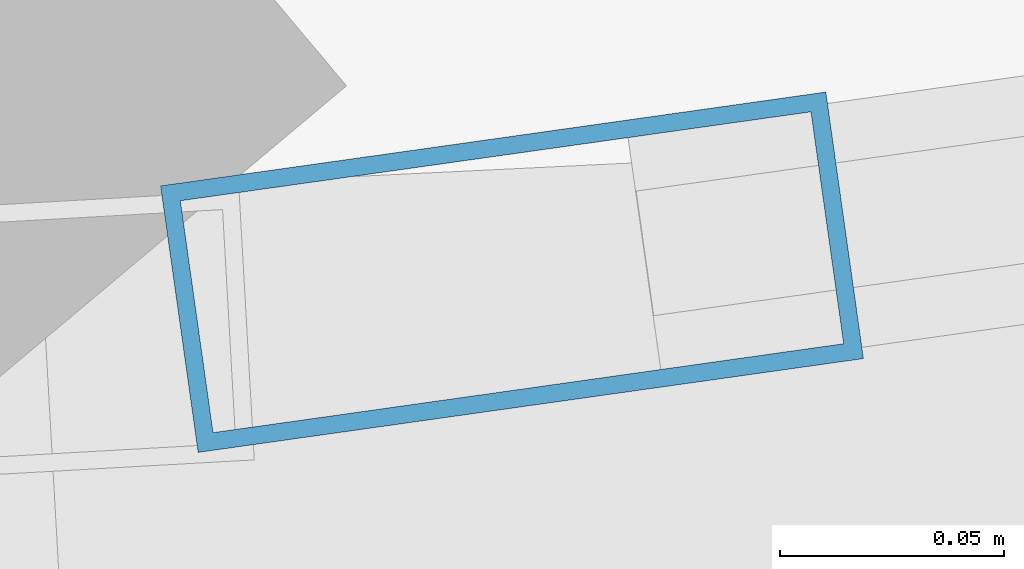
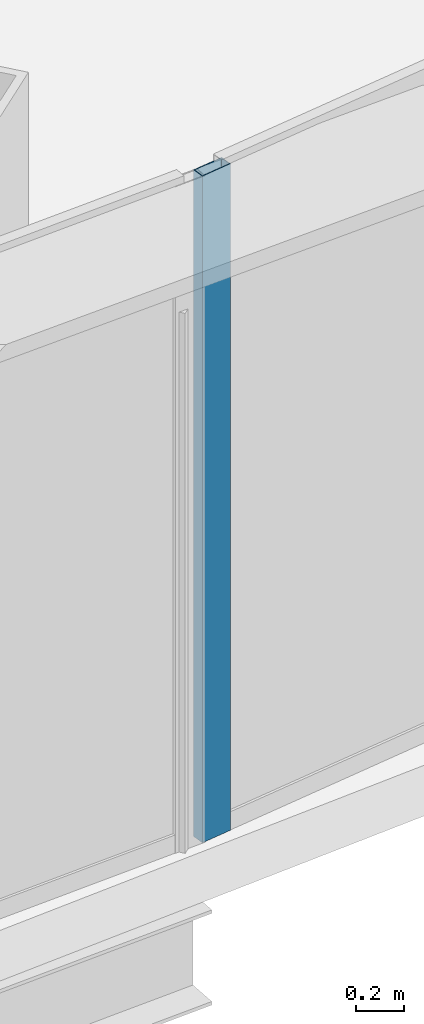
# One storey, part 16 of 42: 1 member, 1 element without a shape of its own.
"""IFC4 building model written with IfcOpenShell, lengths in metres."""

import ifcopenshell
import ifcopenshell.guid

model = None  # the IFC model being written
_history = None  # IfcOwnerHistory: only IFC2X3 demands one
_inside = {}  # id of a spatial element -> (the spatial element, [elements in it])
_under = {}  # id of a project, library or spatial element -> (it, [spatial elements below it])
_declared = {}  # id of a project -> (the project, [libraries it declares])
_typed = {}  # id of a type object -> (the type object, [elements of that type])
_made_of = {}  # id of a material, layer set ... -> (it, [elements and type objects made of it])


def new_model(schema):
    """Start an empty IFC model of exactly this schema.

    Asked for "IFC4X3", IfcOpenShell would pick the latest addendum, in which some entities
    have other attributes; the version numbers below select the first issue.
    IFC2X3 requires an IfcOwnerHistory on every rooted entity: one is made here for all.
    """
    global model, _history
    if schema == "IFC4X3":
        model = ifcopenshell.file(schema_version=(4, 3, 0, 0))
    else:
        model = ifcopenshell.file(schema=schema)
    _inside.clear()
    _under.clear()
    _declared.clear()
    _typed.clear()
    _made_of.clear()
    _history = None
    if model.schema == "IFC2X3":
        org = make("IfcOrganization", Name="unknown")
        user = make(
            "IfcPersonAndOrganization",
            ThePerson=make("IfcPerson", FamilyName="unknown"),
            TheOrganization=org,
        )
        app = make(
            "IfcApplication",
            ApplicationDeveloper=org,
            Version="unknown",
            ApplicationFullName="unknown",
            ApplicationIdentifier="unknown",
        )
        _history = make(
            "IfcOwnerHistory",
            OwningUser=user,
            OwningApplication=app,
            ChangeAction="ADDED",
            CreationDate=0,
        )
    return model


def make(cls, **values):
    """One entity of the class cls with the attributes given. An attribute that is None is left unset."""
    return model.create_entity(
        cls, **{name: value for name, value in values.items() if value is not None}
    )


def rooted(cls, **values):
    """An entity with a GlobalId (a new one), such as an element, a storey or a relation."""
    return make(cls, GlobalId=ifcopenshell.guid.new(), OwnerHistory=_history, **values)


def si_unit(unit_type, name, prefix=None):
    """IfcSIUnit, for example si_unit("LENGTHUNIT", "METRE", prefix="MILLI")."""
    return make("IfcSIUnit", UnitType=unit_type, Prefix=prefix, Name=name)


def assignment(units):
    """IfcUnitAssignment: the units of a project."""
    return None if units is None else make("IfcUnitAssignment", Units=units)


def point(xyz):
    """IfcCartesianPoint."""
    return None if xyz is None else make("IfcCartesianPoint", Coordinates=xyz)


def direction(xyz):
    """IfcDirection."""
    return None if xyz is None else make("IfcDirection", DirectionRatios=xyz)


def frame(location, z_axis=None, x_axis=None):
    """IfcAxis2Placement3D, a coordinate frame: its origin and axes. An axis left out is left unset."""
    return make(
        "IfcAxis2Placement3D",
        Location=point(location),
        Axis=direction(z_axis),
        RefDirection=direction(x_axis),
    )


def frame_2d(location, x_axis=None):
    """IfcAxis2Placement2D, a coordinate frame in the plane: its origin and x axis."""
    return make(
        "IfcAxis2Placement2D", Location=point(location), RefDirection=direction(x_axis)
    )


def origin():
    """The frame at (0, 0, 0) with its axes left unset."""
    return frame((0.0, 0.0, 0.0))


def origin_2d():
    """The frame at (0, 0) in the plane with its x axis left unset."""
    return frame_2d((0.0, 0.0))


def place(relative_to, where):
    """IfcLocalPlacement: puts the frame where relative to a parent placement (None: the world)."""
    return make(
        "IfcLocalPlacement", PlacementRelTo=relative_to, RelativePlacement=where
    )


def context(
    kind, dimensions, precision=None, world=None, true_north=None, identifier=None
):
    """IfcGeometricRepresentationContext, for example the 3D "Model" context."""
    return make(
        "IfcGeometricRepresentationContext",
        ContextIdentifier=identifier,
        ContextType=kind,
        CoordinateSpaceDimension=dimensions,
        Precision=precision,
        WorldCoordinateSystem=world,
        TrueNorth=true_north,
    )


def subcontext(parent, identifier, kind, view, scale=None):
    """IfcGeometricRepresentationSubContext, for example "Body" below "Model"."""
    return make(
        "IfcGeometricRepresentationSubContext",
        ContextIdentifier=identifier,
        ContextType=kind,
        ParentContext=parent,
        TargetScale=scale,
        TargetView=view,
    )


def project(units=None, contexts=None):
    """IfcProject with its units and contexts."""
    return rooted(
        "IfcProject",
        Name="project",
        RepresentationContexts=contexts,
        UnitsInContext=assignment(units),
    )


def spatial(cls, under=None, at=None, **own):
    """A site, building, storey or space (cls), placed at a placement, below another one or the project."""
    s = rooted(cls, ObjectPlacement=at, **own)
    if under is not None:
        _under.setdefault(under.id(), (under, []))[1].append(s)
    return s


def profile(cls, at=None, kind="AREA", **sizes):
    """A parametric profile (cls). Its sizes go by their IFC names, for example OverallWidth=200.0."""
    return make(cls, ProfileType=kind, Position=at, **sizes)


def hollow_rectangle(**sizes):
    """IfcRectangleHollowProfileDef."""
    return profile("IfcRectangleHollowProfileDef", **sizes)


def extrude(swept, where, along, depth):
    """IfcExtrudedAreaSolid: the profile swept, set in the frame where, extruded along a direction by depth."""
    return make(
        "IfcExtrudedAreaSolid",
        SweptArea=swept,
        Position=where,
        ExtrudedDirection=direction(along),
        Depth=depth,
    )


def shape(context_of_items, identifier, shape_type, items):
    """IfcShapeRepresentation: the items that make up one representation, for example the "Body"."""
    return make(
        "IfcShapeRepresentation",
        ContextOfItems=context_of_items,
        RepresentationIdentifier=identifier,
        RepresentationType=shape_type,
        Items=items,
    )


def source(mapping_origin, context_of_items, identifier, shape_type, items):
    """IfcRepresentationMap: a shape defined once, which mapped items show again and again."""
    return make(
        "IfcRepresentationMap",
        MappingOrigin=mapping_origin,
        MappedRepresentation=shape(context_of_items, identifier, shape_type, items),
    )


def transform(
    local_origin,
    x_axis=None,
    y_axis=None,
    z_axis=None,
    scale=None,
    scale2=None,
    scale3=None,
    uniform=True,
):
    """IfcCartesianTransformationOperator3D, or its non-uniform kind. x_axis, y_axis, z_axis: its Axis1, 2, 3."""
    if uniform:
        return make(
            "IfcCartesianTransformationOperator3D",
            Axis1=direction(x_axis),
            Axis2=direction(y_axis),
            LocalOrigin=point(local_origin),
            Scale=scale,
            Axis3=direction(z_axis),
        )
    return make(
        "IfcCartesianTransformationOperator3DnonUniform",
        Axis1=direction(x_axis),
        Axis2=direction(y_axis),
        LocalOrigin=point(local_origin),
        Scale=scale,
        Axis3=direction(z_axis),
        Scale2=scale2,
        Scale3=scale3,
    )


def mapped(mapping_source, mapping_target):
    """IfcMappedItem: shows the shape of a source again, moved by a transform."""
    return make(
        "IfcMappedItem", MappingSource=mapping_source, MappingTarget=mapping_target
    )


def material(Name=None, Category=None):
    """IfcMaterial."""
    return make("IfcMaterial", Name=Name, Category=Category)


def layer(
    of_material, thickness, ventilated=None, Name=None, Category=None, Priority=None
):
    """IfcMaterialLayer: one layer of a wall or slab, of a material (None: an air gap)."""
    return make(
        "IfcMaterialLayer",
        Material=of_material,
        LayerThickness=thickness,
        IsVentilated=ventilated,
        Name=Name,
        Category=Category,
        Priority=Priority,
    )


def layer_set(layers, Name=None):
    """IfcMaterialLayerSet."""
    return make("IfcMaterialLayerSet", MaterialLayers=layers, LayerSetName=Name)


def material_profile(
    of_material, cross_section, Name=None, Category=None, Priority=None
):
    """IfcMaterialProfile: a cross section and its material."""
    return make(
        "IfcMaterialProfile",
        Name=Name,
        Material=of_material,
        Profile=cross_section,
        Priority=Priority,
        Category=Category,
    )


def profile_set(profiles, Name=None, composite=None):
    """IfcMaterialProfileSet."""
    return make(
        "IfcMaterialProfileSet",
        Name=Name,
        MaterialProfiles=profiles,
        CompositeProfile=composite,
    )


def made_of(thing, what):
    """Note that an element or type object is made of a material, layer set ...; save() writes the relation."""
    if what is not None:
        _made_of.setdefault(what.id(), (what, []))[1].append(thing)
    return thing


def type_object(cls, material=None, **own):
    """A type object (cls), such as IfcWallType, which elements share."""
    return made_of(rooted(cls, **own), material)


def element(
    cls,
    number,
    at=None,
    inside=None,
    cuts=None,
    type_object=None,
    material=None,
    context=None,
    identifier="Body",
    shape_type=None,
    held_by="IfcProductDefinitionShape",
    body=None,
    shapes=None,
    **own,
):
    """One element of the class cls, such as IfcWall. Its Tag is "e" and its number.

    at: its placement. inside: the storey or other place that contains it. cuts: it is an
    opening in that element (IfcRelVoidsElement). A single representation is given by context,
    identifier, shape_type and body (its items); several are given by shapes. held_by: the class
    of the entity that holds the representations. save() writes the other relations.
    """
    e = rooted(cls, Tag="e%d" % number, ObjectPlacement=at, **own)
    if body is not None:
        shapes = [shape(context, identifier, shape_type, body)]
    if shapes is not None:
        e.Representation = make(held_by, Representations=shapes)
    if inside is not None:
        _inside.setdefault(inside.id(), (inside, []))[1].append(e)
    if cuts is not None:
        rooted(
            "IfcRelVoidsElement", RelatingBuildingElement=cuts, RelatedOpeningElement=e
        )
    if type_object is not None:
        _typed.setdefault(type_object.id(), (type_object, []))[1].append(e)
    return made_of(e, material)


def aggregate(whole, parts):
    """IfcRelAggregates: a whole, such as a stair, and the parts it consists of."""
    return rooted("IfcRelAggregates", RelatingObject=whole, RelatedObjects=parts)


def save(model, path):
    """Write the relations noted so far, then the file.

    IfcRelAggregates (storeys below a building ...), IfcRelContainedInSpatialStructure (elements
    in a storey), IfcRelDefinesByType, IfcRelAssociatesMaterial and IfcRelDeclares: one each for
    every whole, place, type object, material and project.
    """
    for whole, parts in _under.values():
        aggregate(whole, parts)
    for where, things in _inside.values():
        rooted(
            "IfcRelContainedInSpatialStructure",
            RelatedElements=things,
            RelatingStructure=where,
        )
    for kind, things in _typed.values():
        rooted("IfcRelDefinesByType", RelatedObjects=things, RelatingType=kind)
    for what, things in _made_of.values():
        rooted("IfcRelAssociatesMaterial", RelatedObjects=things, RelatingMaterial=what)
    for by, libraries in _declared.values():
        rooted("IfcRelDeclares", RelatingContext=by, RelatedDefinitions=libraries)
    model.write(path)


model = new_model("IFC4")

# Units and contexts
model_context = context("Model", 3, precision=1e-05, world=origin(), true_north=direction((0.0, 1.0)))
body_context = subcontext(model_context, "Body", "Model", "MODEL_VIEW")
ifc_project = project(units=[si_unit("LENGTHUNIT", "METRE"), si_unit("AREAUNIT", "SQUARE_METRE"), si_unit("VOLUMEUNIT", "CUBIC_METRE"), si_unit("PLANEANGLEUNIT", "RADIAN"), si_unit("MASSUNIT", "GRAM", prefix="KILO"), si_unit("THERMODYNAMICTEMPERATUREUNIT", "KELVIN"), si_unit("POWERUNIT", "WATT")], contexts=[model_context])

# Site, building, storey
site_placement = place(None, origin())
site = spatial("IfcSite", under=ifc_project, at=site_placement, CompositionType="ELEMENT")
building_placement = place(site_placement, origin())
building = spatial("IfcBuilding", under=site, at=building_placement, Name="Yunzhuo Pagoda Commons", CompositionType="ELEMENT")
storey_placement = place(building_placement, frame((0.0, 0.0, 151.909912109375)))
storey = spatial("IfcBuildingStorey", under=building, at=storey_placement, Name="L38", CompositionType="ELEMENT", Elevation=151.909912109375)

# Curtain wall, member
ifc_material = material(Name="Anodized aluminium 6063-T6", Category="aluminium")
ifc_layer = layer(ifc_material, 0.14990234375)
ifc_layer_set = layer_set([ifc_layer], Name="Anodized aluminium 6063-T6")
curtain_wall_type = type_object("IfcCurtainWallType", Name="CW-MID Mid-Zone Ribbon Curtain Wall", PredefinedType="NOTDEFINED", material=ifc_layer_set)
curtain_wall_placement = place(storey_placement, origin())
curtain_wall = element("IfcCurtainWall", 1, at=curtain_wall_placement, inside=storey, type_object=curtain_wall_type, Name="L38 curtain wall CW-L38-F1B5", PredefinedType="NOTDEFINED")
ifc_material_profile = material_profile(ifc_material, hollow_rectangle(XDim=0.06005859375, YDim=0.14990234375, WallThickness=0.00390625, at=origin_2d()), Name="Anodized aluminium 6063-T6")
ifc_profile_set = profile_set([ifc_material_profile], Name="Anodized aluminium 6063-T6")
member_type = type_object("IfcMemberType", Name="CW-MID-M Mullion RHS 150x60x4", PredefinedType="MULLION", material=ifc_profile_set)
shared_shape = source(origin(), body_context, "Body", "SweptSolid", [
    extrude(hollow_rectangle(XDim=0.06005859375, YDim=0.14990234375, WallThickness=0.00390625, at=origin_2d()), origin(), (0.0, 0.0, 1.0), 3.420166015625),
])
member_placement = place(storey_placement, frame((64.576904296875, 14.083251953125, 0.0), z_axis=(0.0, 0.0, 1.0), x_axis=(-0.13962976996, 0.990203780714, 0.0)))
member = element("IfcMember", 2, at=member_placement, type_object=member_type, Name="CW mullion 1", PredefinedType="MULLION", context=body_context, shape_type="MappedRepresentation", body=[
    mapped(shared_shape, transform((0.0, 0.0, 0.0), scale=1.0)),
])
aggregate(curtain_wall, [member])

save(model, "model.ifc")
